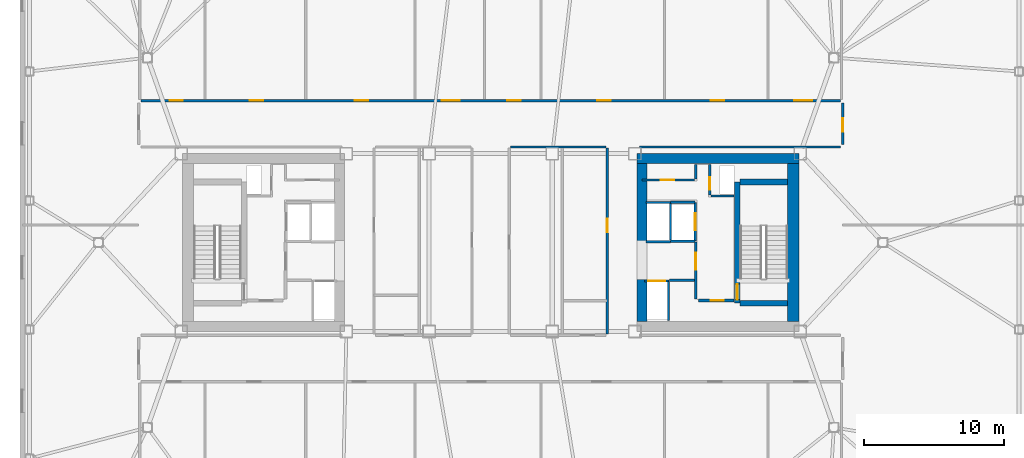
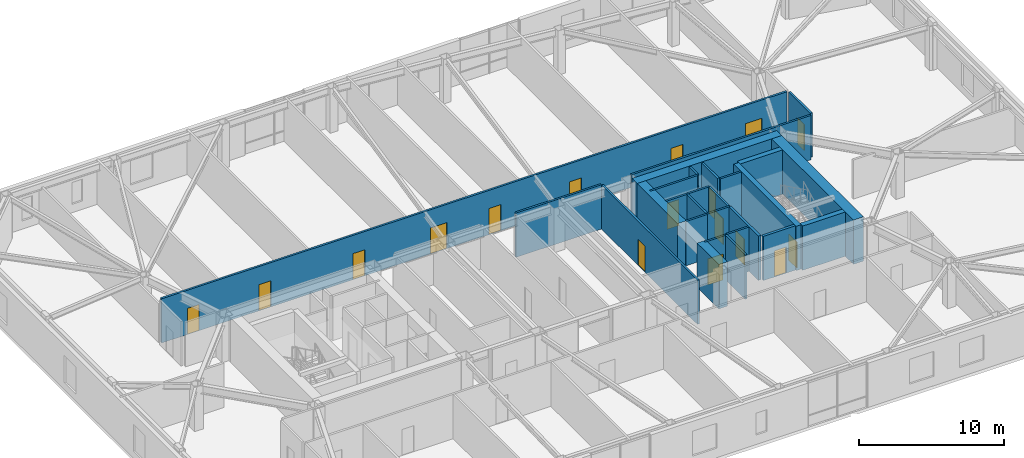
# One storey, part 12 of 18: 27 walls, 17 doors, 17 openings.
"""IFC4 building model written with IfcOpenShell, lengths in metres."""

from ifc_helpers import new_model, si_unit, direction, frame, frame_2d, origin, place, context, subcontext, project, spatial, rectangle, extrude, material, layer, layer_set, type_object, element, fill, save


model = new_model("IFC4")

# Units and contexts
model_context = context("Model", 3, precision=1e-05, world=origin(), true_north=direction((0.0, 1.0)))
body_context = subcontext(model_context, "Body", "Model", "MODEL_VIEW")
ifc_project = project(units=[si_unit("LENGTHUNIT", "METRE"), si_unit("AREAUNIT", "SQUARE_METRE"), si_unit("VOLUMEUNIT", "CUBIC_METRE"), si_unit("PLANEANGLEUNIT", "RADIAN"), si_unit("MASSUNIT", "GRAM", prefix="KILO")], contexts=[model_context])

# Site, building, storey
site_placement = place(None, origin())
site = spatial("IfcSite", under=ifc_project, at=site_placement, CompositionType="ELEMENT")
building_placement = place(site_placement, origin())
building = spatial("IfcBuilding", under=site, at=building_placement, Name="Tavrogorsk Clinical Tower", CompositionType="ELEMENT")
storey_placement = place(building_placement, frame((0.0, 0.0, 200.199951171875)))
storey = spatial("IfcBuildingStorey", under=building, at=storey_placement, Name="L46", CompositionType="ELEMENT", Elevation=200.199951171875)

# Wall, opening, door
ifc_material_1 = material(Name="Concrete B60", Category="concrete")
ifc_layer_1 = layer(ifc_material_1, 0.199951171875)
ifc_layer_set_1 = layer_set([ifc_layer_1], Name="Concrete B60")
wall_type_1 = type_object("IfcWallType", Name="CoreFireWall_200", PredefinedType="SOLIDWALL", material=ifc_layer_set_1)
wall_1_placement = place(storey_placement, frame((14.824951171875, -4.139892578125, 0.0), z_axis=(0.0, 0.0, 1.0), x_axis=(1.0, 0.0, 0.0)))
wall_1 = element("IfcWall", 1, at=wall_1_placement, inside=storey, type_object=wall_type_1, Name="L46 Core East South Core Room Fire Wall", PredefinedType="SOLIDWALL", context=body_context, shape_type="SweptSolid", body=[
    extrude(rectangle(XDim=2.554931640625, YDim=0.199951171875, at=frame_2d((1.27734375, 0.0))), origin(), (0.0, 0.0, 1.0), 3.739990234375),
])
opening_1_placement = place(wall_1_placement, frame((0.8798828125, 0.0, 0.0)))
opening_1 = element("IfcOpeningElement", 2, at=opening_1_placement, cuts=wall_1, Name="Opening ID-02", PredefinedType="OPENING", context=body_context, shape_type="SweptSolid", body=[
    extrude(rectangle(XDim=0.949951171875, YDim=2.199951171875, at=frame_2d((0.47509765625, 1.10009765625))), frame((0.0, 0.10986328125, 0.0), z_axis=(0.0, -1.0, 0.0), x_axis=(1.0, 0.0, 0.0)), (0.0, 0.0, 1.0), 0.219970703125),
])
ifc_material_2 = material(Name="Laminated timber leaf on aluminium frame", Category="wood")
door_type_1 = type_object("IfcDoorType", Name="InteriorDoor_ID02_950", OperationType="NOTDEFINED", PredefinedType="DOOR", material=ifc_material_2)
door_1_placement = place(opening_1_placement, origin())
door_1 = element("IfcDoor", 3, at=door_1_placement, inside=storey, type_object=door_type_1, Name="L46 Core East South Core Room Door", OperationType="SINGLE_SWING_RIGHT", OverallHeight=2.199951171875, OverallWidth=0.949951171875, PredefinedType="DOOR", context=body_context, shape_type="SweptSolid", body=[
    extrude(rectangle(XDim=0.949951171875, YDim=2.199951171875, at=frame_2d((0.47509765625, 1.10009765625))), frame((0.0, 0.02490234375, 0.0), z_axis=(0.0, -1.0, 0.0), x_axis=(1.0, 0.0, 0.0)), (0.0, 0.0, 1.0), 0.050048828125),
])
fill(opening_1, door_1)

wall_2_placement = place(storey_placement, frame((14.639892578125, -4.034912109375, 0.0), z_axis=(0.0, 0.0, 1.0), x_axis=(0.0, 1.0, 0.0)))
wall_2 = element("IfcWall", 4, at=wall_2_placement, inside=storey, type_object=wall_type_1, Name="L46 Core East Firefighting Lobby Fire Wall", PredefinedType="SOLIDWALL", context=body_context, shape_type="SweptSolid", body=[
    extrude(rectangle(XDim=4.074951171875, YDim=0.199951171875, at=frame_2d((2.03759765625, 0.0))), origin(), (0.0, 0.0, 1.0), 3.739990234375),
])
opening_2_placement = place(wall_2_placement, frame((2.090087890625, 0.0, 0.0)))
opening_2 = element("IfcOpeningElement", 5, at=opening_2_placement, cuts=wall_2, Name="Opening FD-01", PredefinedType="OPENING", context=body_context, shape_type="SweptSolid", body=[
    extrude(rectangle(XDim=1.199951171875, YDim=2.199951171875, at=frame_2d((0.60009765625, 1.10009765625))), frame((0.0, 0.10986328125, 0.0), z_axis=(0.0, -1.0, 0.0), x_axis=(1.0, 0.0, 0.0)), (0.0, 0.0, 1.0), 0.219970703125),
])
ifc_material_3 = material(Name="Galvanised steel fire-rated door assembly", Category="steel")
door_type_2 = type_object("IfcDoorType", Name="FireDoor_FD01_1200", OperationType="NOTDEFINED", PredefinedType="DOOR", material=ifc_material_3)
door_2_placement = place(opening_2_placement, origin())
door_2 = element("IfcDoor", 6, at=door_2_placement, inside=storey, type_object=door_type_2, Name="L46 Core East Firefighting Lobby Entry Door", OperationType="SINGLE_SWING_RIGHT", OverallHeight=2.199951171875, OverallWidth=1.199951171875, PredefinedType="DOOR", context=body_context, shape_type="SweptSolid", body=[
    extrude(rectangle(XDim=1.199951171875, YDim=2.199951171875, at=frame_2d((0.60009765625, 1.10009765625))), frame((0.0, 0.02490234375, 0.0), z_axis=(0.0, -1.0, 0.0), x_axis=(1.0, 0.0, 0.0)), (0.0, 0.0, 1.0), 0.050048828125),
])
fill(opening_2, door_2)

# Wall
ifc_material_4 = material(Name="Lightweight concrete blockwork B15", Category="masonry")
ifc_layer_2 = layer(ifc_material_4, 0.159912109375)
ifc_layer_set_2 = layer_set([ifc_layer_2], Name="Lightweight concrete blockwork B15")
wall_type_2 = type_object("IfcWallType", Name="PartitionWall_160", PredefinedType="PARTITIONING", material=ifc_layer_set_2)
wall_3_placement = place(storey_placement, frame((12.77490234375, -2.699951171875, 0.0), z_axis=(0.0, 0.0, 1.0), x_axis=(1.0, 0.0, 0.0)))
element("IfcWall", 7, at=wall_3_placement, inside=storey, type_object=wall_type_2, Name="L46 Core East Freed Low-Bank North Partition", PredefinedType="PARTITIONING", context=body_context, shape_type="SweptSolid", body=[
    extrude(rectangle(XDim=1.760009765625, YDim=0.159912109375, at=frame_2d((0.8798828125, 0.0))), origin(), (0.0, 0.0, 1.0), 3.739990234375),
])

# Wall, opening, door
wall_4_placement = place(storey_placement, frame((10.800048828125, 4.4599609375, 0.0), z_axis=(0.0, 0.0, 1.0), x_axis=(1.0, 0.0, 0.0)))
wall_4 = element("IfcWall", 8, at=wall_4_placement, inside=storey, type_object=wall_type_2, Name="L46 Core East Pneumatic Dispatch South Wall", PredefinedType="PARTITIONING", context=body_context, shape_type="SweptSolid", body=[
    extrude(rectangle(XDim=3.7548828125, YDim=0.159912109375, at=frame_2d((1.87744140625, 0.0))), origin(), (0.0, 0.0, 1.0), 3.739990234375),
])
opening_3_placement = place(wall_4_placement, frame((1.35009765625, 0.0, 0.0)))
opening_3 = element("IfcOpeningElement", 9, at=opening_3_placement, cuts=wall_4, Name="Opening ID-02", PredefinedType="OPENING", context=body_context, shape_type="SweptSolid", body=[
    extrude(rectangle(XDim=0.949951171875, YDim=2.199951171875, at=frame_2d((0.47509765625, 1.10009765625))), frame((0.0, 0.08984375, 0.0), z_axis=(0.0, -1.0, 0.0), x_axis=(1.0, 0.0, 0.0)), (0.0, 0.0, 1.0), 0.179931640625),
])
door_3_placement = place(opening_3_placement, origin())
door_3 = element("IfcDoor", 10, at=door_3_placement, inside=storey, type_object=door_type_1, Name="L46 Core East Pneumatic Dispatch Door", OperationType="SINGLE_SWING_LEFT", OverallHeight=2.199951171875, OverallWidth=0.949951171875, PredefinedType="DOOR", context=body_context, shape_type="SweptSolid", body=[
    extrude(rectangle(XDim=0.949951171875, YDim=2.199951171875, at=frame_2d((0.47509765625, 1.10009765625))), frame((0.0, 0.02490234375, 0.0), z_axis=(0.0, -1.0, 0.0), x_axis=(1.0, 0.0, 0.0)), (0.0, 0.0, 1.0), 0.050048828125),
])
fill(opening_3, door_3)

# Wall
wall_5_placement = place(storey_placement, frame((14.639892578125, 4.544921875, 0.0), z_axis=(0.0, 0.0, 1.0), x_axis=(0.0, 1.0, 0.0)))
element("IfcWall", 11, at=wall_5_placement, inside=storey, type_object=wall_type_2, Name="L46 Core East Pneumatic Dispatch East Wall", PredefinedType="PARTITIONING", context=body_context, shape_type="SweptSolid", body=[
    extrude(rectangle(XDim=1.01513671875, YDim=0.159912109375, at=frame_2d((0.507568359375, 0.0))), origin(), (0.0, 0.0, 1.0), 3.739990234375),
])

# Wall, openings, doors
wall_6_placement = place(storey_placement, frame((-24.965087890625, 10.1298828125, 0.0), z_axis=(0.0, 0.0, 1.0), x_axis=(1.0, 0.0, 0.0)))
wall_6 = element("IfcWall", 12, at=wall_6_placement, inside=storey, type_object=wall_type_2, Name="L46 Corridor Partition 05", PredefinedType="PARTITIONING", context=body_context, shape_type="SweptSolid", body=[
    extrude(rectangle(XDim=49.93017578125, YDim=0.159912109375, at=frame_2d((24.965087890625, 0.0))), origin(), (0.0, 0.0, 1.0), 3.739990234375),
])
opening_4_placement = place(wall_6_placement, frame((2.044189453125, 0.0, 0.0)))
opening_4 = element("IfcOpeningElement", 13, at=opening_4_placement, cuts=wall_6, Name="Opening ID-02", PredefinedType="OPENING", context=body_context, shape_type="SweptSolid", body=[
    extrude(rectangle(XDim=0.949951171875, YDim=2.199951171875, at=frame_2d((0.47509765625, 1.10009765625))), frame((0.0, 0.08984375, 0.0), z_axis=(0.0, -1.0, 0.0), x_axis=(1.0, 0.0, 0.0)), (0.0, 0.0, 1.0), 0.179931640625),
])
opening_5_placement = place(wall_6_placement, frame((7.77490234375, 0.0, 0.0)))
opening_5 = element("IfcOpeningElement", 14, at=opening_5_placement, cuts=wall_6, Name="Opening ID-02", PredefinedType="OPENING", context=body_context, shape_type="SweptSolid", body=[
    extrude(rectangle(XDim=0.949951171875, YDim=2.199951171875, at=frame_2d((0.47509765625, 1.10009765625))), frame((0.0, 0.08984375, 0.0), z_axis=(0.0, -1.0, 0.0), x_axis=(1.0, 0.0, 0.0)), (0.0, 0.0, 1.0), 0.179931640625),
])
opening_6_placement = place(wall_6_placement, frame((15.27490234375, 0.0, 0.0)))
opening_6 = element("IfcOpeningElement", 15, at=opening_6_placement, cuts=wall_6, Name="Opening ID-02", PredefinedType="OPENING", context=body_context, shape_type="SweptSolid", body=[
    extrude(rectangle(XDim=0.949951171875, YDim=2.199951171875, at=frame_2d((0.47509765625, 1.10009765625))), frame((0.0, 0.08984375, 0.0), z_axis=(0.0, -1.0, 0.0), x_axis=(1.0, 0.0, 0.0)), (0.0, 0.0, 1.0), 0.179931640625),
])
opening_7_placement = place(wall_6_placement, frame((21.47509765625, 0.0, 0.0)))
opening_7 = element("IfcOpeningElement", 16, at=opening_7_placement, cuts=wall_6, Name="Opening ID-01", PredefinedType="OPENING", context=body_context, shape_type="SweptSolid", body=[
    extrude(rectangle(XDim=1.300048828125, YDim=2.199951171875, at=frame_2d((0.64990234375, 1.10009765625))), frame((0.0, 0.08984375, 0.0), z_axis=(0.0, -1.0, 0.0), x_axis=(1.0, 0.0, 0.0)), (0.0, 0.0, 1.0), 0.179931640625),
])
opening_8_placement = place(wall_6_placement, frame((26.14990234375, 0.0, 0.0)))
opening_8 = element("IfcOpeningElement", 17, at=opening_8_placement, cuts=wall_6, Name="Opening ID-02", PredefinedType="OPENING", context=body_context, shape_type="SweptSolid", body=[
    extrude(rectangle(XDim=0.949951171875, YDim=2.199951171875, at=frame_2d((0.47509765625, 1.10009765625))), frame((0.0, 0.08984375, 0.0), z_axis=(0.0, -1.0, 0.0), x_axis=(1.0, 0.0, 0.0)), (0.0, 0.0, 1.0), 0.179931640625),
])
opening_9_placement = place(wall_6_placement, frame((32.574951171875, 0.0, 0.0)))
opening_9 = element("IfcOpeningElement", 18, at=opening_9_placement, cuts=wall_6, Name="Opening ID-02", PredefinedType="OPENING", context=body_context, shape_type="SweptSolid", body=[
    extrude(rectangle(XDim=0.949951171875, YDim=2.199951171875, at=frame_2d((0.47509765625, 1.10009765625))), frame((0.0, 0.08984375, 0.0), z_axis=(0.0, -1.0, 0.0), x_axis=(1.0, 0.0, 0.0)), (0.0, 0.0, 1.0), 0.179931640625),
])
opening_10_placement = place(wall_6_placement, frame((40.675048828125, 0.0, 0.0)))
opening_10 = element("IfcOpeningElement", 19, at=opening_10_placement, cuts=wall_6, Name="Opening ID-02", PredefinedType="OPENING", context=body_context, shape_type="SweptSolid", body=[
    extrude(rectangle(XDim=0.949951171875, YDim=2.199951171875, at=frame_2d((0.47509765625, 1.10009765625))), frame((0.0, 0.08984375, 0.0), z_axis=(0.0, -1.0, 0.0), x_axis=(1.0, 0.0, 0.0)), (0.0, 0.0, 1.0), 0.179931640625),
])
opening_11_placement = place(wall_6_placement, frame((46.630859375, 0.0, 0.0)))
opening_11 = element("IfcOpeningElement", 20, at=opening_11_placement, cuts=wall_6, Name="Opening ID-01", PredefinedType="OPENING", context=body_context, shape_type="SweptSolid", body=[
    extrude(rectangle(XDim=1.300048828125, YDim=2.199951171875, at=frame_2d((0.64990234375, 1.10009765625))), frame((0.0, 0.08984375, 0.0), z_axis=(0.0, -1.0, 0.0), x_axis=(1.0, 0.0, 0.0)), (0.0, 0.0, 1.0), 0.179931640625),
])
door_4_placement = place(opening_4_placement, origin())
door_4 = element("IfcDoor", 21, at=door_4_placement, inside=storey, type_object=door_type_1, Name="L46 North Clinical Examination Suite 01 Door", OperationType="SINGLE_SWING_LEFT", OverallHeight=2.199951171875, OverallWidth=0.949951171875, PredefinedType="DOOR", context=body_context, shape_type="SweptSolid", body=[
    extrude(rectangle(XDim=0.949951171875, YDim=2.199951171875, at=frame_2d((0.47509765625, 1.10009765625))), frame((0.0, 0.02490234375, 0.0), z_axis=(0.0, -1.0, 0.0), x_axis=(1.0, 0.0, 0.0)), (0.0, 0.0, 1.0), 0.050048828125),
])
fill(opening_4, door_4)
door_5_placement = place(opening_5_placement, origin())
door_5 = element("IfcDoor", 22, at=door_5_placement, inside=storey, type_object=door_type_1, Name="L46 North Diagnostic Ultrasound Suite 02 Door", OperationType="SINGLE_SWING_RIGHT", OverallHeight=2.199951171875, OverallWidth=0.949951171875, PredefinedType="DOOR", context=body_context, shape_type="SweptSolid", body=[
    extrude(rectangle(XDim=0.949951171875, YDim=2.199951171875, at=frame_2d((0.47509765625, 1.10009765625))), frame((0.0, 0.02490234375, 0.0), z_axis=(0.0, -1.0, 0.0), x_axis=(1.0, 0.0, 0.0)), (0.0, 0.0, 1.0), 0.050048828125),
])
fill(opening_5, door_5)
door_6_placement = place(opening_6_placement, origin())
door_6 = element("IfcDoor", 23, at=door_6_placement, inside=storey, type_object=door_type_1, Name="L46 North Physiotherapy Rehab Studio 03 Door", OperationType="SINGLE_SWING_LEFT", OverallHeight=2.199951171875, OverallWidth=0.949951171875, PredefinedType="DOOR", context=body_context, shape_type="SweptSolid", body=[
    extrude(rectangle(XDim=0.949951171875, YDim=2.199951171875, at=frame_2d((0.47509765625, 1.10009765625))), frame((0.0, 0.02490234375, 0.0), z_axis=(0.0, -1.0, 0.0), x_axis=(1.0, 0.0, 0.0)), (0.0, 0.0, 1.0), 0.050048828125),
])
fill(opening_6, door_6)
door_7_placement = place(opening_8_placement, origin())
door_7 = element("IfcDoor", 24, at=door_7_placement, inside=storey, type_object=door_type_1, Name="L46 North Clinical Examination Suite 04B Door", OperationType="SINGLE_SWING_LEFT", OverallHeight=2.199951171875, OverallWidth=0.949951171875, PredefinedType="DOOR", context=body_context, shape_type="SweptSolid", body=[
    extrude(rectangle(XDim=0.949951171875, YDim=2.199951171875, at=frame_2d((0.47509765625, 1.10009765625))), frame((0.0, 0.02490234375, 0.0), z_axis=(0.0, -1.0, 0.0), x_axis=(1.0, 0.0, 0.0)), (0.0, 0.0, 1.0), 0.050048828125),
])
fill(opening_8, door_7)
door_8_placement = place(opening_9_placement, origin())
door_8 = element("IfcDoor", 25, at=door_8_placement, inside=storey, type_object=door_type_1, Name="L46 North Physician Consultation Office 05 Door", OperationType="SINGLE_SWING_RIGHT", OverallHeight=2.199951171875, OverallWidth=0.949951171875, PredefinedType="DOOR", context=body_context, shape_type="SweptSolid", body=[
    extrude(rectangle(XDim=0.949951171875, YDim=2.199951171875, at=frame_2d((0.47509765625, 1.10009765625))), frame((0.0, 0.02490234375, 0.0), z_axis=(0.0, -1.0, 0.0), x_axis=(1.0, 0.0, 0.0)), (0.0, 0.0, 1.0), 0.050048828125),
])
fill(opening_9, door_8)
door_9_placement = place(opening_10_placement, origin())
door_9 = element("IfcDoor", 26, at=door_9_placement, inside=storey, type_object=door_type_1, Name="L46 North Patient & Family Quiet Lounge 06 Door", OperationType="SINGLE_SWING_LEFT", OverallHeight=2.199951171875, OverallWidth=0.949951171875, PredefinedType="DOOR", context=body_context, shape_type="SweptSolid", body=[
    extrude(rectangle(XDim=0.949951171875, YDim=2.199951171875, at=frame_2d((0.47509765625, 1.10009765625))), frame((0.0, 0.02490234375, 0.0), z_axis=(0.0, -1.0, 0.0), x_axis=(1.0, 0.0, 0.0)), (0.0, 0.0, 1.0), 0.050048828125),
])
fill(opening_10, door_9)
ifc_material_5 = material(Name="Antibacterial HPL medical leaf on aluminium frame", Category="aluminium")
door_type_3 = type_object("IfcDoorType", Name="WardBedDoor_ID01_1300", OperationType="NOTDEFINED", PredefinedType="DOOR", material=ifc_material_5)
door_10_placement = place(opening_7_placement, origin())
door_10 = element("IfcDoor", 27, at=door_10_placement, inside=storey, type_object=door_type_3, Name="L46 North Step-Down Telemetry Ward 04A Door", OperationType="SINGLE_SWING_RIGHT", OverallHeight=2.199951171875, OverallWidth=1.300048828125, PredefinedType="DOOR", context=body_context, shape_type="SweptSolid", body=[
    extrude(rectangle(XDim=1.300048828125, YDim=2.199951171875, at=frame_2d((0.64990234375, 1.10009765625))), frame((0.0, 0.02490234375, 0.0), z_axis=(0.0, -1.0, 0.0), x_axis=(1.0, 0.0, 0.0)), (0.0, 0.0, 1.0), 0.050048828125),
])
fill(opening_7, door_10)
door_11_placement = place(opening_11_placement, origin())
door_11 = element("IfcDoor", 28, at=door_11_placement, inside=storey, type_object=door_type_3, Name="L46 North Acute Isolation Suite 07 Door", OperationType="SINGLE_SWING_RIGHT", OverallHeight=2.199951171875, OverallWidth=1.300048828125, PredefinedType="DOOR", context=body_context, shape_type="SweptSolid", body=[
    extrude(rectangle(XDim=1.300048828125, YDim=2.199951171875, at=frame_2d((0.64990234375, 1.10009765625))), frame((0.0, 0.02490234375, 0.0), z_axis=(0.0, -1.0, 0.0), x_axis=(1.0, 0.0, 0.0)), (0.0, 0.0, 1.0), 0.050048828125),
])
fill(opening_11, door_11)

# Wall, opening, door
wall_7_placement = place(storey_placement, frame((25.1298828125, 9.965087890625, 0.0), z_axis=(0.0, 0.0, 1.0), x_axis=(0.0, -1.0, 0.0)))
wall_7 = element("IfcWall", 29, at=wall_7_placement, inside=storey, type_object=wall_type_2, Name="L46 Corridor Partition 06", PredefinedType="PARTITIONING", context=body_context, shape_type="SweptSolid", body=[
    extrude(rectangle(XDim=2.97998046875, YDim=0.159912109375, at=frame_2d((1.489990234375, 0.0))), origin(), (0.0, 0.0, 1.0), 3.739990234375),
])
opening_12_placement = place(wall_7_placement, frame((1.10009765625, 0.0, 0.0)))
opening_12 = element("IfcOpeningElement", 30, at=opening_12_placement, cuts=wall_7, Name="Opening ID-02", PredefinedType="OPENING", context=body_context, shape_type="SweptSolid", body=[
    extrude(rectangle(XDim=0.949951171875, YDim=2.199951171875, at=frame_2d((0.47509765625, 1.10009765625))), frame((0.0, 0.08984375, 0.0), z_axis=(0.0, -1.0, 0.0), x_axis=(1.0, 0.0, 0.0)), (0.0, 0.0, 1.0), 0.179931640625),
])
door_12_placement = place(opening_12_placement, origin())
door_12 = element("IfcDoor", 31, at=door_12_placement, inside=storey, type_object=door_type_1, Name="L46 E Multidisciplinary Seminar Suite 2 Door", OperationType="SINGLE_SWING_LEFT", OverallHeight=2.199951171875, OverallWidth=0.949951171875, PredefinedType="DOOR", context=body_context, shape_type="SweptSolid", body=[
    extrude(rectangle(XDim=0.949951171875, YDim=2.199951171875, at=frame_2d((0.47509765625, 1.10009765625))), frame((0.0, 0.02490234375, 0.0), z_axis=(0.0, -1.0, 0.0), x_axis=(1.0, 0.0, 0.0)), (0.0, 0.0, 1.0), 0.050048828125),
])
fill(opening_12, door_12)

# Walls
wall_8_placement = place(storey_placement, frame((24.965087890625, 6.820068359375, 0.0), z_axis=(0.0, 0.0, 1.0), x_axis=(-1.0, 0.0, 0.0)))
element("IfcWall", 32, at=wall_8_placement, inside=storey, type_object=wall_type_2, Name="L46 Corridor Partition 07", PredefinedType="PARTITIONING", context=body_context, shape_type="SweptSolid", body=[
    extrude(rectangle(XDim=14.335205078125, YDim=0.159912109375, at=frame_2d((7.16748046875, 0.0))), origin(), (0.0, 0.0, 1.0), 3.739990234375),
])
wall_9_placement = place(storey_placement, frame((8.235107421875, 6.820068359375, 0.0), z_axis=(0.0, 0.0, 1.0), x_axis=(-1.0, 0.0, 0.0)))
element("IfcWall", 33, at=wall_9_placement, inside=storey, type_object=wall_type_2, Name="L46 Corridor Partition 11", PredefinedType="PARTITIONING", context=body_context, shape_type="SweptSolid", body=[
    extrude(rectangle(XDim=6.820068359375, YDim=0.159912109375, at=frame_2d((3.41015625, 0.0))), origin(), (0.0, 0.0, 1.0), 3.739990234375),
])

# Wall, opening, door
wall_10_placement = place(storey_placement, frame((8.320068359375, -6.534912109375, 0.0), z_axis=(0.0, 0.0, 1.0), x_axis=(0.0, 1.0, 0.0)))
wall_10 = element("IfcWall", 34, at=wall_10_placement, inside=storey, type_object=wall_type_2, Name="L46 Corridor Partition 14", PredefinedType="PARTITIONING", context=body_context, shape_type="SweptSolid", body=[
    extrude(rectangle(XDim=13.27001953125, YDim=0.159912109375, at=frame_2d((6.635009765625, 0.0))), origin(), (0.0, 0.0, 1.0), 3.739990234375),
])
opening_13_placement = place(wall_10_placement, frame((7.285888671875, 0.0, 0.0)))
opening_13 = element("IfcOpeningElement", 35, at=opening_13_placement, cuts=wall_10, Name="Opening ID-02", PredefinedType="OPENING", context=body_context, shape_type="SweptSolid", body=[
    extrude(rectangle(XDim=0.949951171875, YDim=2.199951171875, at=frame_2d((0.47509765625, 1.10009765625))), frame((0.0, 0.08984375, 0.0), z_axis=(0.0, -1.0, 0.0), x_axis=(1.0, 0.0, 0.0)), (0.0, 0.0, 1.0), 0.179931640625),
])
door_13_placement = place(opening_13_placement, origin())
door_13 = element("IfcDoor", 36, at=door_13_placement, inside=storey, type_object=door_type_1, Name="L46 Resident Clinician Study Door", OperationType="SINGLE_SWING_LEFT", OverallHeight=2.199951171875, OverallWidth=0.949951171875, PredefinedType="DOOR", context=body_context, shape_type="SweptSolid", body=[
    extrude(rectangle(XDim=0.949951171875, YDim=2.199951171875, at=frame_2d((0.47509765625, 1.10009765625))), frame((0.0, 0.02490234375, 0.0), z_axis=(0.0, -1.0, 0.0), x_axis=(1.0, 0.0, 0.0)), (0.0, 0.0, 1.0), 0.050048828125),
])
fill(opening_13, door_13)

ifc_material_6 = material(Name="Lightweight concrete blockwork B25", Category="masonry")
ifc_layer_3 = layer(ifc_material_6, 0.159912109375)
ifc_layer_set_3 = layer_set([ifc_layer_3], Name="Lightweight concrete blockwork B25")
wall_type_3 = type_object("IfcWallType", Name="ShaftWall_160", PredefinedType="PARTITIONING", material=ifc_layer_set_3)
wall_11_placement = place(storey_placement, frame((14.60009765625, 0.1201171875, 0.0), z_axis=(0.0, 0.0, 1.0), x_axis=(0.0, 1.0, 0.0)))
wall_11 = element("IfcWall", 37, at=wall_11_placement, inside=storey, type_object=wall_type_3, Name="L46 FFL-E Firefighting Lift Front Wall", PredefinedType="PARTITIONING", context=body_context, shape_type="SweptSolid", body=[
    extrude(rectangle(XDim=2.739990234375, YDim=0.159912109375, at=frame_2d((1.3701171875, 0.0))), origin(), (0.0, 0.0, 1.0), 3.739990234375),
])
opening_14_placement = place(wall_11_placement, frame((0.77001953125, 0.0, 0.0)))
opening_14 = element("IfcOpeningElement", 38, at=opening_14_placement, cuts=wall_11, Name="Opening LD", PredefinedType="OPENING", context=body_context, shape_type="SweptSolid", body=[
    extrude(rectangle(XDim=1.199951171875, YDim=2.199951171875, at=frame_2d((0.60009765625, 1.10009765625))), frame((0.0, 0.08984375, 0.0), z_axis=(0.0, -1.0, 0.0), x_axis=(1.0, 0.0, 0.0)), (0.0, 0.0, 1.0), 0.179931640625),
])
ifc_material_7 = material(Name="Brushed stainless steel AISI 304 sliding doors", Category="steel")
door_type_4 = type_object("IfcDoorType", Name="LiftLandingDoor_LD_1200", OperationType="SLIDING_TO_LEFT", PredefinedType="DOOR", material=ifc_material_7)
door_14_placement = place(opening_14_placement, origin())
door_14 = element("IfcDoor", 39, at=door_14_placement, inside=storey, type_object=door_type_4, Name="L46 FFL-E Sliding Lift Landing Door", OperationType="SLIDING_TO_LEFT", OverallHeight=2.199951171875, OverallWidth=1.199951171875, PredefinedType="DOOR", context=body_context, shape_type="SweptSolid", body=[
    extrude(rectangle(XDim=1.199951171875, YDim=2.199951171875, at=frame_2d((0.60009765625, 1.10009765625))), frame((0.0, 0.02490234375, 0.0), z_axis=(0.0, -1.0, 0.0), x_axis=(1.0, 0.0, 0.0)), (0.0, 0.0, 1.0), 0.050048828125),
])
fill(opening_14, door_14)

# Walls
for number, where, z_axis, x_axis, name in (
    (40, (12.840087890625, 0.10009765625, 0.0), (0.0, 0.0, 1.0), (1.0, 0.0, 0.0), "L46 FFL-E Shaft South Wall"),
    (41, (12.840087890625, 2.8798828125, 0.0), (0.0, 0.0, 1.0), (1.0, 0.0, 0.0), "L46 FFL-E Shaft North Wall"),
):
    element("IfcWall", number, at=place(storey_placement, frame(where, z_axis=z_axis, x_axis=x_axis)), inside=storey, type_object=wall_type_3, Name=name, PredefinedType="PARTITIONING", context=body_context, shape_type="SweptSolid", body=[
        extrude(rectangle(XDim=1.760009765625, YDim=0.159912109375, at=frame_2d((0.8798828125, 0.0))), origin(), (0.0, 0.0, 1.0), 3.739990234375),
    ])
wall_12_placement = place(storey_placement, frame((12.840087890625, 0.179931640625, 0.0), z_axis=(0.0, 0.0, 1.0), x_axis=(0.0, 1.0, 0.0)))
element("IfcWall", 42, at=wall_12_placement, inside=storey, type_object=wall_type_3, Name="L46 FFL-E Shaft Back Wall", PredefinedType="PARTITIONING", context=body_context, shape_type="SweptSolid", body=[
    extrude(rectangle(XDim=2.6201171875, YDim=0.159912109375, at=frame_2d((1.31005859375, 0.0))), origin(), (0.0, 0.0, 1.0), 3.739990234375),
])

# Wall, opening, door
wall_13_placement = place(storey_placement, frame((10.969970703125, -2.75, 0.0), z_axis=(0.0, 0.0, 1.0), x_axis=(1.0, 0.0, 0.0)))
wall_13 = element("IfcWall", 43, at=wall_13_placement, inside=storey, type_object=wall_type_3, Name="L46 LP-M2 Lift Shaft Portal Wall", PredefinedType="PARTITIONING", context=body_context, shape_type="SweptSolid", body=[
    extrude(rectangle(XDim=1.760009765625, YDim=0.159912109375, at=frame_2d((0.8798828125, 0.0))), origin(), (0.0, 0.0, 1.0), 3.739990234375),
])
opening_15_placement = place(wall_13_placement, frame((0.280029296875, 0.0, 0.0)))
opening_15 = element("IfcOpeningElement", 44, at=opening_15_placement, cuts=wall_13, Name="Opening LD", PredefinedType="OPENING", context=body_context, shape_type="SweptSolid", body=[
    extrude(rectangle(XDim=1.199951171875, YDim=2.199951171875, at=frame_2d((0.60009765625, 1.10009765625))), frame((0.0, 0.08984375, 0.0), z_axis=(0.0, -1.0, 0.0), x_axis=(1.0, 0.0, 0.0)), (0.0, 0.0, 1.0), 0.179931640625),
])
door_15_placement = place(opening_15_placement, origin())
door_15 = element("IfcDoor", 45, at=door_15_placement, inside=storey, type_object=door_type_4, Name="L46 LP-M2 Sliding Lift Landing Door", OperationType="SLIDING_TO_LEFT", OverallHeight=2.199951171875, OverallWidth=1.199951171875, PredefinedType="DOOR", context=body_context, shape_type="SweptSolid", body=[
    extrude(rectangle(XDim=1.199951171875, YDim=2.199951171875, at=frame_2d((0.60009765625, 1.10009765625))), frame((0.0, 0.02490234375, 0.0), z_axis=(0.0, -1.0, 0.0), x_axis=(1.0, 0.0, 0.0)), (0.0, 0.0, 1.0), 0.050048828125),
])
fill(opening_15, door_15)

# Walls
for number, where, z_axis, x_axis, name in (
    (46, (11.10009765625, 0.06005859375, 0.0), (0.0, 0.0, 1.0), (1.0, 0.0, 0.0), "L46 LP-H2 High-Zone Lift Portal Wall"),
    (47, (11.10009765625, 2.860107421875, 0.0), (0.0, 0.0, 1.0), (1.0, 0.0, 0.0), "L46 LP-H2 High-Zone Lift Rear Wall"),
):
    element("IfcWall", number, at=place(storey_placement, frame(where, z_axis=z_axis, x_axis=x_axis)), inside=storey, type_object=wall_type_3, Name=name, PredefinedType="PARTITIONING", context=body_context, shape_type="SweptSolid", body=[
        extrude(rectangle(XDim=1.719970703125, YDim=0.159912109375, at=frame_2d((0.85986328125, 0.0))), origin(), (0.0, 0.0, 1.0), 3.739990234375),
    ])

# Wall, opening, door
wall_14_placement = place(storey_placement, frame((15.639892578125, 3.405029296875, 0.0), z_axis=(0.0, 0.0, 1.0), x_axis=(0.0, 1.0, 0.0)))
wall_14 = element("IfcWall", 48, at=wall_14_placement, inside=storey, type_object=wall_type_3, Name="L46 Core East Riser West Wall", PredefinedType="PARTITIONING", context=body_context, shape_type="SweptSolid", body=[
    extrude(rectangle(XDim=2.155029296875, YDim=0.159912109375, at=frame_2d((1.07763671875, 0.0))), origin(), (0.0, 0.0, 1.0), 3.739990234375),
])
opening_16_placement = place(wall_14_placement, frame((0.35009765625, 0.0, 0.0)))
opening_16 = element("IfcOpeningElement", 49, at=opening_16_placement, cuts=wall_14, Name="Opening FD-02", PredefinedType="OPENING", context=body_context, shape_type="SweptSolid", body=[
    extrude(rectangle(XDim=0.89990234375, YDim=2.199951171875, at=frame_2d((0.449951171875, 1.10009765625))), frame((0.0, 0.08984375, 0.0), z_axis=(0.0, -1.0, 0.0), x_axis=(1.0, 0.0, 0.0)), (0.0, 0.0, 1.0), 0.179931640625),
])
ifc_material_8 = material(Name="Galvanised steel fire-rated door assembly", Category="steel")
door_type_5 = type_object("IfcDoorType", Name="FireDoor_FD02_900", OperationType="NOTDEFINED", PredefinedType="DOOR", material=ifc_material_8)
door_16_placement = place(opening_16_placement, origin())
door_16 = element("IfcDoor", 50, at=door_16_placement, inside=storey, type_object=door_type_5, Name="L46 Core East Electrical Riser Access Door", OperationType="SINGLE_SWING_LEFT", OverallHeight=2.199951171875, OverallWidth=0.89990234375, PredefinedType="DOOR", context=body_context, shape_type="SweptSolid", body=[
    extrude(rectangle(XDim=0.89990234375, YDim=2.199951171875, at=frame_2d((0.449951171875, 1.10009765625))), frame((0.0, 0.02490234375, 0.0), z_axis=(0.0, -1.0, 0.0), x_axis=(1.0, 0.0, 0.0)), (0.0, 0.0, 1.0), 0.050048828125),
])
fill(opening_16, door_16)

# Walls
wall_15_placement = place(storey_placement, frame((15.72509765625, 3.320068359375, 0.0), z_axis=(0.0, 0.0, 1.0), x_axis=(1.0, 0.0, 0.0)))
element("IfcWall", 51, at=wall_15_placement, inside=storey, type_object=wall_type_3, Name="L46 Core East Riser South Wall", PredefinedType="PARTITIONING", context=body_context, shape_type="SweptSolid", body=[
    extrude(rectangle(XDim=1.65478515625, YDim=0.159912109375, at=frame_2d((0.827392578125, 0.0))), origin(), (0.0, 0.0, 1.0), 3.739990234375),
])
wall_16_placement = place(storey_placement, frame((12.68994140625, -5.56005859375, 0.0), z_axis=(0.0, 0.0, 1.0), x_axis=(0.0, 1.0, 0.0)))
element("IfcWall", 52, at=wall_16_placement, inside=storey, type_object=wall_type_3, Name="L46 Core East Freed Low-Bank Shaft Divider", PredefinedType="PARTITIONING", context=body_context, shape_type="SweptSolid", body=[
    extrude(rectangle(XDim=2.775146484375, YDim=0.159912109375, at=frame_2d((1.3876953125, 0.0))), origin(), (0.0, 0.0, 1.0), 3.739990234375),
])

# Wall, opening, door
ifc_material_9 = material(Name="Concrete B80", Category="concrete")
ifc_layer_4 = layer(ifc_material_9, 0.39990234375)
ifc_layer_set_4 = layer_set([ifc_layer_4], Name="Concrete B80")
wall_type_4 = type_object("IfcWallType", Name="ShearWall_400", PredefinedType="SHEAR", material=ifc_layer_set_4)
wall_17_placement = place(storey_placement, frame((17.60009765625, -4.324951171875, 0.0), z_axis=(0.0, 0.0, 1.0), x_axis=(0.0, 1.0, 0.0)))
wall_17 = element("IfcWall", 53, at=wall_17_placement, inside=storey, type_object=wall_type_4, Name="L46 Core East Stair Shaft Inner Shear Wall", PredefinedType="SHEAR", context=body_context, shape_type="SweptSolid", body=[
    extrude(rectangle(XDim=8.64990234375, YDim=0.39990234375, at=frame_2d((4.324951171875, 0.0))), origin(), (0.0, 0.0, 1.0), 3.739990234375),
])
opening_17_placement = place(wall_17_placement, frame((0.25, 0.0, 0.0)))
opening_17 = element("IfcOpeningElement", 54, at=opening_17_placement, cuts=wall_17, Name="Opening SD-01", PredefinedType="OPENING", context=body_context, shape_type="SweptSolid", body=[
    extrude(rectangle(XDim=1.10009765625, YDim=2.199951171875, at=frame_2d((0.550048828125, 1.10009765625))), frame((0.0, 0.2099609375, 0.0), z_axis=(0.0, -1.0, 0.0), x_axis=(1.0, 0.0, 0.0)), (0.0, 0.0, 1.0), 0.419921875),
])
ifc_material_10 = material(Name="Galvanised steel smoke-tight fire door assembly", Category="steel")
door_type_6 = type_object("IfcDoorType", Name="StairFireDoor_SD01_1100", OperationType="NOTDEFINED", PredefinedType="DOOR", material=ifc_material_10)
door_17_placement = place(opening_17_placement, origin())
door_17 = element("IfcDoor", 55, at=door_17_placement, inside=storey, type_object=door_type_6, Name="L46 ST-E Exit Stair Door", OperationType="SINGLE_SWING_RIGHT", OverallHeight=2.199951171875, OverallWidth=1.10009765625, PredefinedType="DOOR", context=body_context, shape_type="SweptSolid", body=[
    extrude(rectangle(XDim=1.10009765625, YDim=2.199951171875, at=frame_2d((0.550048828125, 1.10009765625))), frame((0.0, 0.02490234375, 0.0), z_axis=(0.0, -1.0, 0.0), x_axis=(1.0, 0.0, 0.0)), (0.0, 0.0, 1.0), 0.050048828125),
])
fill(opening_17, door_17)

# Walls
for number, where, z_axis, x_axis, name in (
    (56, (17.800048828125, -4.324951171875, 0.0), (0.0, 0.0, 1.0), (1.0, 0.0, 0.0), "L46 Core East Stair Shaft South Shear Wall"),
    (57, (17.800048828125, 4.324951171875, 0.0), (0.0, 0.0, 1.0), (1.0, 0.0, 0.0), "L46 Core East Stair Shaft North Shear Wall"),
):
    element("IfcWall", number, at=place(storey_placement, frame(where, z_axis=z_axis, x_axis=x_axis)), inside=storey, type_object=wall_type_4, Name=name, PredefinedType="SHEAR", context=body_context, shape_type="SweptSolid", body=[
        extrude(rectangle(XDim=3.39990234375, YDim=0.39990234375, at=frame_2d((1.699951171875, 0.0))), origin(), (0.0, 0.0, 1.0), 3.739990234375),
    ])
ifc_material_11 = material(Name="Concrete B80", Category="concrete")
ifc_layer_5 = layer(ifc_material_11, 0.699951171875)
ifc_layer_set_5 = layer_set([ifc_layer_5], Name="Concrete B80")
wall_type_5 = type_object("IfcWallType", Name="ShearWall_700", PredefinedType="SHEAR", material=ifc_layer_set_5)
wall_18_placement = place(storey_placement, frame((10.449951171875, 6.0, 0.0), z_axis=(0.0, 0.0, 1.0), x_axis=(1.0, 0.0, 0.0)))
element("IfcWall", 58, at=wall_18_placement, inside=storey, type_object=wall_type_5, Name="L46 Core East North Shear Wall", PredefinedType="SHEAR", context=body_context, shape_type="SweptSolid", body=[
    extrude(rectangle(XDim=11.550048828125, YDim=0.699951171875, at=frame_2d((5.77490234375, 0.0))), origin(), (0.0, 0.0, 1.0), 3.739990234375),
])
wall_19_placement = place(storey_placement, frame((10.800048828125, -5.64990234375, 0.0), z_axis=(0.0, 0.0, 1.0), x_axis=(0.0, 1.0, 0.0)))
element("IfcWall", 59, at=wall_19_placement, inside=storey, type_object=wall_type_5, Name="L46 Core East Inner South Pier", PredefinedType="SHEAR", context=body_context, shape_type="SweptSolid", body=[
    extrude(rectangle(XDim=3.0, YDim=0.699951171875, at=frame_2d((1.5, 0.0))), origin(), (0.0, 0.0, 1.0), 3.739990234375),
])
wall_20_placement = place(storey_placement, frame((10.800048828125, 0.050048828125, 0.0), z_axis=(0.0, 0.0, 1.0), x_axis=(0.0, 1.0, 0.0)))
element("IfcWall", 60, at=wall_20_placement, inside=storey, type_object=wall_type_5, Name="L46 Core East Inner North Pier", PredefinedType="SHEAR", context=body_context, shape_type="SweptSolid", body=[
    extrude(rectangle(XDim=5.599853515625, YDim=0.699951171875, at=frame_2d((2.7998046875, 0.0))), origin(), (0.0, 0.0, 1.0), 3.739990234375),
])
ifc_material_12 = material(Name="Concrete B80", Category="concrete")
ifc_layer_6 = layer(ifc_material_12, 0.800048828125)
ifc_layer_set_6 = layer_set([ifc_layer_6], Name="Concrete B80")
wall_type_6 = type_object("IfcWallType", Name="ShearWall_800", PredefinedType="SHEAR", material=ifc_layer_set_6)
wall_21_placement = place(storey_placement, frame((21.60009765625, -5.64990234375, 0.0), z_axis=(0.0, 0.0, 1.0), x_axis=(0.0, 1.0, 0.0)))
element("IfcWall", 61, at=wall_21_placement, inside=storey, type_object=wall_type_6, Name="L46 Core East End Shear Wall", PredefinedType="SHEAR", context=body_context, shape_type="SweptSolid", body=[
    extrude(rectangle(XDim=11.2998046875, YDim=0.800048828125, at=frame_2d((5.64990234375, 0.0))), origin(), (0.0, 0.0, 1.0), 3.739990234375),
])

save(model, "model.ifc")
